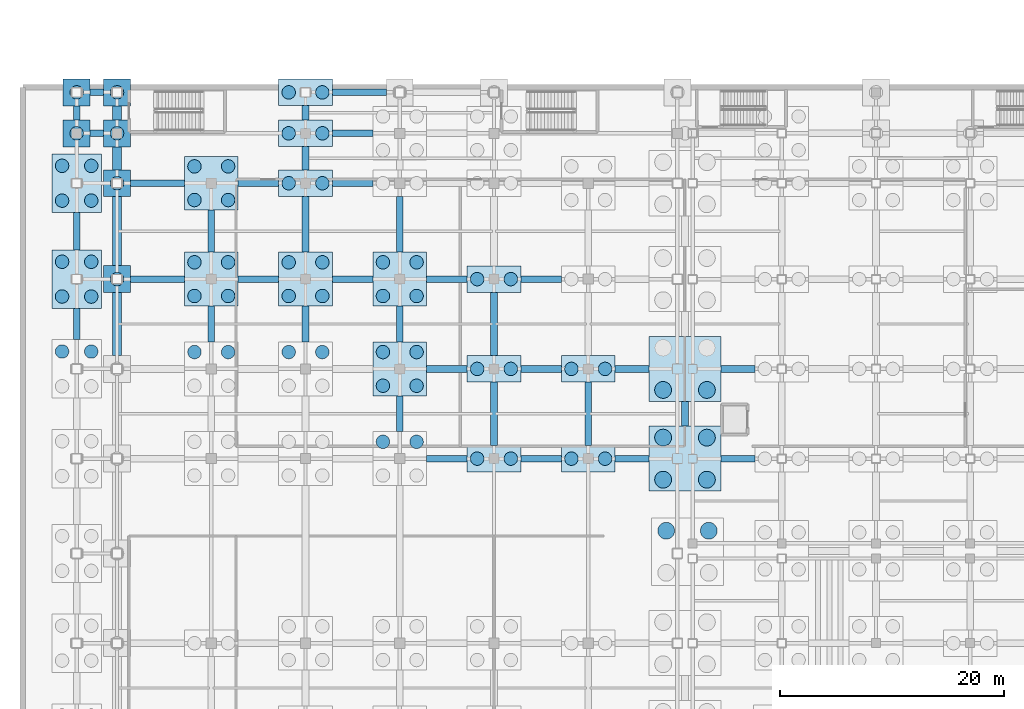
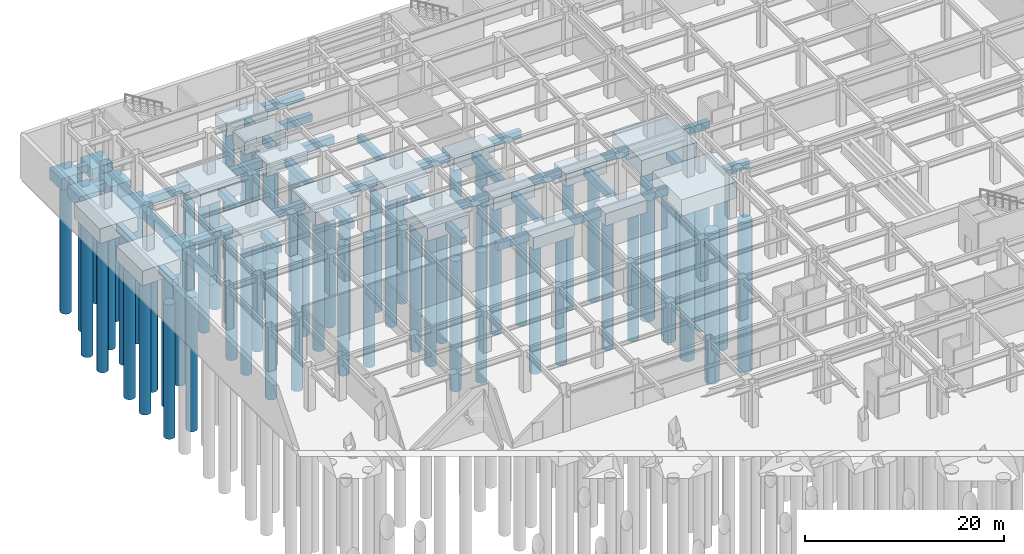
# One storey, part 7 of 55: 66 piles, 63 footings.
"""IFC4 building model written with IfcOpenShell, lengths in metres."""

from ifc_helpers import new_model, si_unit, direction, frame, origin, origin_2d, place, context, subcontext, project, spatial, rectangle, circle, extrude, material, layer, layer_set, material_profile, profile_set, type_object, element, save


model = new_model("IFC4")

# Units and contexts
model_context = context("Model", 3, precision=1e-05, world=origin(), true_north=direction((0.0, 1.0)))
body_context = subcontext(model_context, "Body", "Model", "MODEL_VIEW")
ifc_project = project(units=[si_unit("LENGTHUNIT", "METRE"), si_unit("AREAUNIT", "SQUARE_METRE"), si_unit("VOLUMEUNIT", "CUBIC_METRE"), si_unit("PLANEANGLEUNIT", "RADIAN"), si_unit("MASSUNIT", "GRAM", prefix="KILO")], contexts=[model_context])

# Site, building, storey
site_placement = place(None, origin())
site = spatial("IfcSite", under=ifc_project, at=site_placement, CompositionType="ELEMENT")
building_placement = place(site_placement, origin())
building = spatial("IfcBuilding", under=site, at=building_placement, Name="Kazehara Bluff Congress Hotel", CompositionType="ELEMENT")
storey_placement = place(building_placement, frame((0.0, 0.0, -5.39990234375)))
storey = spatial("IfcBuildingStorey", under=building, at=storey_placement, Name="B1", CompositionType="ELEMENT", Elevation=-5.39990234375)

# Footings
ifc_material_1 = material(Name="Concrete C36/45", Category="concrete")
ifc_material_profile_1 = material_profile(ifc_material_1, rectangle(XDim=0.60009765625, YDim=0.89990234375, at=origin_2d()))
ifc_profile_set_1 = profile_set([ifc_material_profile_1], Name="Concrete C36/45")
footing_type_1 = type_object("IfcFootingType", Name="TP-FB-01", PredefinedType="FOOTING_BEAM", material=ifc_profile_set_1)
for number, where, z_axis, x_axis, name in (
    (1, (36.0, 80.89990234375, -0.9501953125), (1.0, 0.0, 0.0), (0.0, 1.0, 0.0), "Foundation tie beam FB-01 164"),
    (2, (44.39990234375, 80.89990234375, -0.9501953125), (1.0, 0.0, 0.0), (0.0, 1.0, 0.0), "Foundation tie beam FB-01 165"),
):
    element("IfcFooting", number, at=place(storey_placement, frame(where, z_axis=z_axis, x_axis=x_axis)), inside=storey, type_object=footing_type_1, Name=name, PredefinedType="FOOTING_BEAM", context=body_context, shape_type="SweptSolid", body=[
        extrude(rectangle(XDim=0.60009765625, YDim=0.89990234375, at=origin_2d()), origin(), (0.0, 0.0, 1.0), 3.60009765625),
    ])
for number, where, z_axis, x_axis, name in (
    (3, (52.800048828125, 80.89990234375, -0.9501953125), (1.0, 0.0, 0.0), (0.0, 1.0, 0.0), "Foundation tie beam FB-01 166"),
    (4, (62.25, 80.89990234375, -0.9501953125), (1.0, 0.0, 0.0), (0.0, 1.0, 0.0), "Foundation tie beam FB-01 167"),
):
    element("IfcFooting", number, at=place(storey_placement, frame(where, z_axis=z_axis, x_axis=x_axis)), inside=storey, type_object=footing_type_1, Name=name, PredefinedType="FOOTING_BEAM", context=body_context, shape_type="SweptSolid", body=[
        extrude(rectangle(XDim=0.60009765625, YDim=0.89990234375, at=origin_2d()), origin(), (0.0, 0.0, 1.0), 3.0),
    ])
for number, where, z_axis, x_axis, name in (
    (5, (36.0, 88.89990234375, -0.9501953125), (1.0, 0.0, 0.0), (0.0, 1.0, 0.0), "Foundation tie beam FB-01 183"),
    (6, (44.39990234375, 88.89990234375, -0.9501953125), (1.0, 0.0, 0.0), (0.0, 1.0, 0.0), "Foundation tie beam FB-01 184"),
):
    element("IfcFooting", number, at=place(storey_placement, frame(where, z_axis=z_axis, x_axis=x_axis)), inside=storey, type_object=footing_type_1, Name=name, PredefinedType="FOOTING_BEAM", context=body_context, shape_type="SweptSolid", body=[
        extrude(rectangle(XDim=0.60009765625, YDim=0.89990234375, at=origin_2d()), origin(), (0.0, 0.0, 1.0), 3.60009765625),
    ])
for number, where, z_axis, x_axis, name in (
    (7, (52.800048828125, 88.89990234375, -0.9501953125), (1.0, 0.0, 0.0), (0.0, 1.0, 0.0), "Foundation tie beam FB-01 185"),
    (8, (62.25, 88.89990234375, -0.9501953125), (1.0, 0.0, 0.0), (0.0, 1.0, 0.0), "Foundation tie beam FB-01 186"),
):
    element("IfcFooting", number, at=place(storey_placement, frame(where, z_axis=z_axis, x_axis=x_axis)), inside=storey, type_object=footing_type_1, Name=name, PredefinedType="FOOTING_BEAM", context=body_context, shape_type="SweptSolid", body=[
        extrude(rectangle(XDim=0.60009765625, YDim=0.89990234375, at=origin_2d()), origin(), (0.0, 0.0, 1.0), 3.0),
    ])
footing_1_placement = place(storey_placement, frame((9.60009765625, 96.89990234375, -0.9501953125), z_axis=(1.0, 0.0, 0.0), x_axis=(0.0, 1.0, 0.0)))
element("IfcFooting", 9, at=footing_1_placement, inside=storey, type_object=footing_type_1, Name="Foundation tie beam FB-01 199", PredefinedType="FOOTING_BEAM", context=body_context, shape_type="SweptSolid", body=[
    extrude(rectangle(XDim=0.60009765625, YDim=0.89990234375, at=origin_2d()), origin(), (0.0, 0.0, 1.0), 4.7998046875),
])
footing_2_placement = place(storey_placement, frame((19.199951171875, 96.89990234375, -0.9501953125), z_axis=(1.0, 0.0, 0.0), x_axis=(0.0, 1.0, 0.0)))
element("IfcFooting", 10, at=footing_2_placement, inside=storey, type_object=footing_type_1, Name="Foundation tie beam FB-01 200", PredefinedType="FOOTING_BEAM", context=body_context, shape_type="SweptSolid", body=[
    extrude(rectangle(XDim=0.60009765625, YDim=0.89990234375, at=origin_2d()), origin(), (0.0, 0.0, 1.0), 3.60009765625),
])
footing_3_placement = place(storey_placement, frame((27.60009765625, 96.89990234375, -0.9501953125), z_axis=(1.0, 0.0, 0.0), x_axis=(0.0, 1.0, 0.0)))
element("IfcFooting", 11, at=footing_3_placement, inside=storey, type_object=footing_type_1, Name="Foundation tie beam FB-01 201", PredefinedType="FOOTING_BEAM", context=body_context, shape_type="SweptSolid", body=[
    extrude(rectangle(XDim=0.60009765625, YDim=0.89990234375, at=origin_2d()), origin(), (0.0, 0.0, 1.0), 3.599853515625),
])
for number, where, z_axis, x_axis, name in (
    (12, (36.0, 96.89990234375, -0.9501953125), (1.0, 0.0, 0.0), (0.0, 1.0, 0.0), "Foundation tie beam FB-01 202"),
    (13, (44.39990234375, 96.89990234375, -0.9501953125), (1.0, 0.0, 0.0), (0.0, 1.0, 0.0), "Foundation tie beam FB-01 203"),
):
    element("IfcFooting", number, at=place(storey_placement, frame(where, z_axis=z_axis, x_axis=x_axis)), inside=storey, type_object=footing_type_1, Name=name, PredefinedType="FOOTING_BEAM", context=body_context, shape_type="SweptSolid", body=[
        extrude(rectangle(XDim=0.60009765625, YDim=0.89990234375, at=origin_2d()), origin(), (0.0, 0.0, 1.0), 3.60009765625),
    ])
footing_4_placement = place(storey_placement, frame((9.60009765625, 105.449951171875, -0.9501953125), z_axis=(1.0, 0.0, 0.0), x_axis=(0.0, 1.0, 0.0)))
element("IfcFooting", 14, at=footing_4_placement, inside=storey, type_object=footing_type_1, Name="Foundation tie beam FB-01 218", PredefinedType="FOOTING_BEAM", context=body_context, shape_type="SweptSolid", body=[
    extrude(rectangle(XDim=0.60009765625, YDim=0.89990234375, at=origin_2d()), origin(), (0.0, 0.0, 1.0), 4.7998046875),
])
footing_5_placement = place(storey_placement, frame((19.199951171875, 105.449951171875, -0.9501953125), z_axis=(1.0, 0.0, 0.0), x_axis=(0.0, 1.0, 0.0)))
element("IfcFooting", 15, at=footing_5_placement, inside=storey, type_object=footing_type_1, Name="Foundation tie beam FB-01 219", PredefinedType="FOOTING_BEAM", context=body_context, shape_type="SweptSolid", body=[
    extrude(rectangle(XDim=0.60009765625, YDim=0.89990234375, at=origin_2d()), origin(), (0.0, 0.0, 1.0), 3.60009765625),
])
footing_6_placement = place(storey_placement, frame((27.60009765625, 105.449951171875, -0.9501953125), z_axis=(1.0, 0.0, 0.0), x_axis=(0.0, 1.0, 0.0)))
element("IfcFooting", 16, at=footing_6_placement, inside=storey, type_object=footing_type_1, Name="Foundation tie beam FB-01 220", PredefinedType="FOOTING_BEAM", context=body_context, shape_type="SweptSolid", body=[
    extrude(rectangle(XDim=0.60009765625, YDim=0.89990234375, at=origin_2d()), origin(), (0.0, 0.0, 1.0), 3.599853515625),
])
footing_7_placement = place(storey_placement, frame((6.0, 109.89990234375, -0.9501953125), z_axis=(1.0, 0.0, 0.0), x_axis=(0.0, 1.0, 0.0)))
element("IfcFooting", 17, at=footing_7_placement, inside=storey, type_object=footing_type_1, Name="Foundation tie beam FB-01 232", PredefinedType="FOOTING_BEAM", context=body_context, shape_type="SweptSolid", body=[
    extrude(rectangle(XDim=0.60009765625, YDim=0.89990234375, at=origin_2d()), origin(), (0.0, 0.0, 1.0), 1.199951171875),
])
footing_8_placement = place(storey_placement, frame((27.60009765625, 109.89990234375, -0.9501953125), z_axis=(1.0, 0.0, 0.0), x_axis=(0.0, 1.0, 0.0)))
element("IfcFooting", 18, at=footing_8_placement, inside=storey, type_object=footing_type_1, Name="Foundation tie beam FB-01 233", PredefinedType="FOOTING_BEAM", context=body_context, shape_type="SweptSolid", body=[
    extrude(rectangle(XDim=0.60009765625, YDim=0.89990234375, at=origin_2d()), origin(), (0.0, 0.0, 1.0), 3.599853515625),
])
footing_9_placement = place(storey_placement, frame((6.0, 113.550048828125, -0.9501953125), z_axis=(1.0, 0.0, 0.0), x_axis=(0.0, 1.0, 0.0)))
element("IfcFooting", 19, at=footing_9_placement, inside=storey, type_object=footing_type_1, Name="Foundation tie beam FB-01 243", PredefinedType="FOOTING_BEAM", context=body_context, shape_type="SweptSolid", body=[
    extrude(rectangle(XDim=0.60009765625, YDim=0.89990234375, at=origin_2d()), origin(), (0.0, 0.0, 1.0), 1.199951171875),
])
footing_10_placement = place(storey_placement, frame((27.60009765625, 113.550048828125, -0.9501953125), z_axis=(1.0, 0.0, 0.0), x_axis=(0.0, 1.0, 0.0)))
element("IfcFooting", 20, at=footing_10_placement, inside=storey, type_object=footing_type_1, Name="Foundation tie beam FB-01 244", PredefinedType="FOOTING_BEAM", context=body_context, shape_type="SweptSolid", body=[
    extrude(rectangle(XDim=0.60009765625, YDim=0.89990234375, at=origin_2d()), origin(), (0.0, 0.0, 1.0), 4.7998046875),
])
footing_11_placement = place(storey_placement, frame((4.800048828125, 91.5, -0.9501953125), z_axis=(0.0, 1.0, 0.0), x_axis=(-1.0, 0.0, 0.0)))
element("IfcFooting", 21, at=footing_11_placement, inside=storey, type_object=footing_type_1, Name="Foundation tie beam FB-01 256", PredefinedType="FOOTING_BEAM", context=body_context, shape_type="SweptSolid", body=[
    extrude(rectangle(XDim=0.60009765625, YDim=0.89990234375, at=origin_2d()), origin(), (0.0, 0.0, 1.0), 2.800048828125),
])
footing_12_placement = place(storey_placement, frame((4.800048828125, 99.5, -0.9501953125), z_axis=(0.0, 1.0, 0.0), x_axis=(-1.0, 0.0, 0.0)))
element("IfcFooting", 22, at=footing_12_placement, inside=storey, type_object=footing_type_1, Name="Foundation tie beam FB-01 257", PredefinedType="FOOTING_BEAM", context=body_context, shape_type="SweptSolid", body=[
    extrude(rectangle(XDim=0.60009765625, YDim=0.89990234375, at=origin_2d()), origin(), (0.0, 0.0, 1.0), 3.35009765625),
])
footing_13_placement = place(storey_placement, frame((4.800048828125, 111.10009765625, -0.9501953125), z_axis=(0.0, 1.0, 0.0), x_axis=(-1.0, 0.0, 0.0)))
element("IfcFooting", 23, at=footing_13_placement, inside=storey, type_object=footing_type_1, Name="Foundation tie beam FB-01 258", PredefinedType="FOOTING_BEAM", context=body_context, shape_type="SweptSolid", body=[
    extrude(rectangle(XDim=0.60009765625, YDim=0.89990234375, at=origin_2d()), origin(), (0.0, 0.0, 1.0), 1.25),
])
footing_14_placement = place(storey_placement, frame((16.800048828125, 91.300048828125, -0.9501953125), z_axis=(0.0, 1.0, 0.0), x_axis=(-1.0, 0.0, 0.0)))
element("IfcFooting", 24, at=footing_14_placement, inside=storey, type_object=footing_type_1, Name="Foundation tie beam FB-01 278", PredefinedType="FOOTING_BEAM", context=body_context, shape_type="SweptSolid", body=[
    extrude(rectangle(XDim=0.60009765625, YDim=0.89990234375, at=origin_2d()), origin(), (0.0, 0.0, 1.0), 3.199951171875),
])
footing_15_placement = place(storey_placement, frame((16.800048828125, 99.300048828125, -0.9501953125), z_axis=(0.0, 1.0, 0.0), x_axis=(-1.0, 0.0, 0.0)))
element("IfcFooting", 25, at=footing_15_placement, inside=storey, type_object=footing_type_1, Name="Foundation tie beam FB-01 279", PredefinedType="FOOTING_BEAM", context=body_context, shape_type="SweptSolid", body=[
    extrude(rectangle(XDim=0.60009765625, YDim=0.89990234375, at=origin_2d()), origin(), (0.0, 0.0, 1.0), 3.75),
])
footing_16_placement = place(storey_placement, frame((25.199951171875, 91.300048828125, -0.9501953125), z_axis=(0.0, 1.0, 0.0), x_axis=(-1.0, 0.0, 0.0)))
element("IfcFooting", 26, at=footing_16_placement, inside=storey, type_object=footing_type_1, Name="Foundation tie beam FB-01 290", PredefinedType="FOOTING_BEAM", context=body_context, shape_type="SweptSolid", body=[
    extrude(rectangle(XDim=0.60009765625, YDim=0.89990234375, at=origin_2d()), origin(), (0.0, 0.0, 1.0), 3.199951171875),
])
footing_17_placement = place(storey_placement, frame((25.199951171875, 99.300048828125, -0.9501953125), z_axis=(0.0, 1.0, 0.0), x_axis=(-1.0, 0.0, 0.0)))
element("IfcFooting", 27, at=footing_17_placement, inside=storey, type_object=footing_type_1, Name="Foundation tie beam FB-01 291", PredefinedType="FOOTING_BEAM", context=body_context, shape_type="SweptSolid", body=[
    extrude(rectangle(XDim=0.60009765625, YDim=0.89990234375, at=origin_2d()), origin(), (0.0, 0.0, 1.0), 4.974853515625),
])
footing_18_placement = place(storey_placement, frame((25.199951171875, 106.625, -0.9501953125), z_axis=(0.0, 1.0, 0.0), x_axis=(-1.0, 0.0, 0.0)))
element("IfcFooting", 28, at=footing_18_placement, inside=storey, type_object=footing_type_1, Name="Foundation tie beam FB-01 292", PredefinedType="FOOTING_BEAM", context=body_context, shape_type="SweptSolid", body=[
    extrude(rectangle(XDim=0.60009765625, YDim=0.89990234375, at=origin_2d()), origin(), (0.0, 0.0, 1.0), 2.10009765625),
])
footing_19_placement = place(storey_placement, frame((25.199951171875, 111.074951171875, -0.9501953125), z_axis=(0.0, 1.0, 0.0), x_axis=(-1.0, 0.0, 0.0)))
element("IfcFooting", 29, at=footing_19_placement, inside=storey, type_object=footing_type_1, Name="Foundation tie beam FB-01 293", PredefinedType="FOOTING_BEAM", context=body_context, shape_type="SweptSolid", body=[
    extrude(rectangle(XDim=0.60009765625, YDim=0.89990234375, at=origin_2d()), origin(), (0.0, 0.0, 1.0), 1.300048828125),
])
for number, where, z_axis, x_axis, name in (
    (30, (33.60009765625, 83.300048828125, -0.9501953125), (0.0, 1.0, 0.0), (-1.0, 0.0, 0.0), "Foundation tie beam FB-01 303"),
    (31, (33.60009765625, 91.300048828125, -0.9501953125), (0.0, 1.0, 0.0), (-1.0, 0.0, 0.0), "Foundation tie beam FB-01 304"),
):
    element("IfcFooting", number, at=place(storey_placement, frame(where, z_axis=z_axis, x_axis=x_axis)), inside=storey, type_object=footing_type_1, Name=name, PredefinedType="FOOTING_BEAM", context=body_context, shape_type="SweptSolid", body=[
        extrude(rectangle(XDim=0.60009765625, YDim=0.89990234375, at=origin_2d()), origin(), (0.0, 0.0, 1.0), 3.199951171875),
    ])
footing_20_placement = place(storey_placement, frame((33.60009765625, 99.300048828125, -0.9501953125), z_axis=(0.0, 1.0, 0.0), x_axis=(-1.0, 0.0, 0.0)))
element("IfcFooting", 32, at=footing_20_placement, inside=storey, type_object=footing_type_1, Name="Foundation tie beam FB-01 305", PredefinedType="FOOTING_BEAM", context=body_context, shape_type="SweptSolid", body=[
    extrude(rectangle(XDim=0.60009765625, YDim=0.89990234375, at=origin_2d()), origin(), (0.0, 0.0, 1.0), 4.974853515625),
])
for number, where, z_axis, x_axis, name in (
    (33, (42.0, 82.074951171875, -0.9501953125), (0.0, 1.0, 0.0), (-1.0, 0.0, 0.0), "Foundation tie beam FB-01 315"),
    (34, (42.0, 90.074951171875, -0.9501953125), (0.0, 1.0, 0.0), (-1.0, 0.0, 0.0), "Foundation tie beam FB-01 316"),
    (35, (50.39990234375, 82.074951171875, -0.9501953125), (0.0, 1.0, 0.0), (-1.0, 0.0, 0.0), "Foundation tie beam FB-01 326"),
):
    element("IfcFooting", number, at=place(storey_placement, frame(where, z_axis=z_axis, x_axis=x_axis)), inside=storey, type_object=footing_type_1, Name=name, PredefinedType="FOOTING_BEAM", context=body_context, shape_type="SweptSolid", body=[
        extrude(rectangle(XDim=0.60009765625, YDim=0.89990234375, at=origin_2d()), origin(), (0.0, 0.0, 1.0), 5.650146484375),
    ])
footing_21_placement = place(storey_placement, frame((59.02490234375, 83.800048828125, -0.9501953125), z_axis=(0.0, 1.0, 0.0), x_axis=(-1.0, 0.0, 0.0)))
element("IfcFooting", 36, at=footing_21_placement, inside=storey, type_object=footing_type_1, Name="Foundation tie beam FB-01 335", PredefinedType="FOOTING_BEAM", context=body_context, shape_type="SweptSolid", body=[
    extrude(rectangle(XDim=0.60009765625, YDim=0.89990234375, at=origin_2d()), origin(), (0.0, 0.0, 1.0), 2.199951171875),
])
ifc_material_2 = material(Name="Concrete C36/45", Category="concrete")
ifc_material_profile_2 = material_profile(ifc_material_2, rectangle(XDim=0.800048828125, YDim=1.10009765625, at=origin_2d()))
ifc_profile_set_2 = profile_set([ifc_material_profile_2], Name="Concrete C36/45")
footing_type_2 = type_object("IfcFootingType", Name="TP-FB-03", PredefinedType="FOOTING_BEAM", material=ifc_profile_set_2)
footing_22_placement = place(storey_placement, frame((8.39990234375, 90.10009765625, -1.050048828125), z_axis=(0.0, 1.0, 0.0), x_axis=(-1.0, 0.0, 0.0)))
element("IfcFooting", 37, at=footing_22_placement, inside=storey, type_object=footing_type_2, Name="Foundation tie beam FB-03 268", PredefinedType="FOOTING_BEAM", context=body_context, shape_type="SweptSolid", body=[
    extrude(rectangle(XDim=0.800048828125, YDim=1.10009765625, at=origin_2d()), origin(), (0.0, 0.0, 1.0), 5.599853515625),
])
footing_23_placement = place(storey_placement, frame((8.39990234375, 98.10009765625, -1.050048828125), z_axis=(0.0, 1.0, 0.0), x_axis=(-1.0, 0.0, 0.0)))
element("IfcFooting", 38, at=footing_23_placement, inside=storey, type_object=footing_type_2, Name="Foundation tie beam FB-03 269", PredefinedType="FOOTING_BEAM", context=body_context, shape_type="SweptSolid", body=[
    extrude(rectangle(XDim=0.800048828125, YDim=1.10009765625, at=origin_2d()), origin(), (0.0, 0.0, 1.0), 6.14990234375),
])
footing_24_placement = place(storey_placement, frame((8.39990234375, 106.64990234375, -1.050048828125), z_axis=(0.0, 1.0, 0.0), x_axis=(-1.0, 0.0, 0.0)))
element("IfcFooting", 39, at=footing_24_placement, inside=storey, type_object=footing_type_2, Name="Foundation tie beam FB-03 270", PredefinedType="FOOTING_BEAM", context=body_context, shape_type="SweptSolid", body=[
    extrude(rectangle(XDim=0.800048828125, YDim=1.10009765625, at=origin_2d()), origin(), (0.0, 0.0, 1.0), 2.050048828125),
])
footing_25_placement = place(storey_placement, frame((8.39990234375, 111.10009765625, -1.050048828125), z_axis=(0.0, 1.0, 0.0), x_axis=(-1.0, 0.0, 0.0)))
element("IfcFooting", 40, at=footing_25_placement, inside=storey, type_object=footing_type_2, Name="Foundation tie beam FB-03 271", PredefinedType="FOOTING_BEAM", context=body_context, shape_type="SweptSolid", body=[
    extrude(rectangle(XDim=0.800048828125, YDim=1.10009765625, at=origin_2d()), origin(), (0.0, 0.0, 1.0), 1.25),
])
ifc_material_3 = material(Name="Concrete C36/45", Category="concrete")
ifc_layer_1 = layer(ifc_material_3, 1.39990234375)
ifc_layer_set_1 = layer_set([ifc_layer_1], Name="Concrete C36/45")
footing_type_3 = type_object("IfcFootingType", Name="TP-PC-01", PredefinedType="PILE_CAP", material=ifc_layer_set_1)
for number, where, z_axis, x_axis, name in (
    (41, (4.800048828125, 109.89990234375, -1.900146484375), (0.0, 0.0, 1.0), (1.0, 0.0, 0.0), "Pile cap PC-01 14"),
    (42, (4.800048828125, 113.550048828125, -1.900146484375), (0.0, 0.0, 1.0), (1.0, 0.0, 0.0), "Pile cap PC-01 15"),
    (43, (8.39990234375, 96.89990234375, -1.900146484375), (0.0, 0.0, 1.0), (1.0, 0.0, 0.0), "Pile cap PC-01 27"),
    (44, (8.39990234375, 105.449951171875, -1.900146484375), (0.0, 0.0, 1.0), (1.0, 0.0, 0.0), "Pile cap PC-01 28"),
    (45, (8.39990234375, 109.89990234375, -1.900146484375), (0.0, 0.0, 1.0), (1.0, 0.0, 0.0), "Pile cap PC-01 29"),
    (46, (8.39990234375, 113.550048828125, -1.900146484375), (0.0, 0.0, 1.0), (1.0, 0.0, 0.0), "Pile cap PC-01 30"),
):
    element("IfcFooting", number, at=place(storey_placement, frame(where, z_axis=z_axis, x_axis=x_axis)), inside=storey, type_object=footing_type_3, Name=name, PredefinedType="PILE_CAP", context=body_context, shape_type="SweptSolid", body=[
        extrude(rectangle(XDim=2.39990234375, YDim=2.39990234375, at=origin_2d()), origin(), (0.0, 0.0, 1.0), 1.39990234375),
    ])
ifc_material_4 = material(Name="Concrete C36/45", Category="concrete")
ifc_layer_2 = layer(ifc_material_4, 1.5)
ifc_layer_set_2 = layer_set([ifc_layer_2], Name="Concrete C36/45")
footing_type_4 = type_object("IfcFootingType", Name="TP-PC-02", PredefinedType="PILE_CAP", material=ifc_layer_set_2)
for number, where, z_axis, x_axis, name in (
    (47, (25.199951171875, 105.449951171875, -2.0), (0.0, 0.0, 1.0), (1.0, 0.0, 0.0), "Pile cap PC-02 54"),
    (48, (25.199951171875, 109.89990234375, -2.0), (0.0, 0.0, 1.0), (1.0, 0.0, 0.0), "Pile cap PC-02 55"),
    (49, (25.199951171875, 113.550048828125, -2.0), (0.0, 0.0, 1.0), (1.0, 0.0, 0.0), "Pile cap PC-02 56"),
    (50, (42.0, 80.89990234375, -2.0), (0.0, 0.0, 1.0), (1.0, 0.0, 0.0), "Pile cap PC-02 81"),
    (51, (42.0, 88.89990234375, -2.0), (0.0, 0.0, 1.0), (1.0, 0.0, 0.0), "Pile cap PC-02 82"),
    (52, (42.0, 96.89990234375, -2.0), (0.0, 0.0, 1.0), (1.0, 0.0, 0.0), "Pile cap PC-02 83"),
    (53, (50.39990234375, 80.89990234375, -2.0), (0.0, 0.0, 1.0), (1.0, 0.0, 0.0), "Pile cap PC-02 95"),
    (54, (50.39990234375, 88.89990234375, -2.0), (0.0, 0.0, 1.0), (1.0, 0.0, 0.0), "Pile cap PC-02 96"),
):
    element("IfcFooting", number, at=place(storey_placement, frame(where, z_axis=z_axis, x_axis=x_axis)), inside=storey, type_object=footing_type_4, Name=name, PredefinedType="PILE_CAP", context=body_context, shape_type="SweptSolid", body=[
        extrude(rectangle(XDim=4.800048828125, YDim=2.35009765625, at=origin_2d()), origin(), (0.0, 0.0, 1.0), 1.5),
    ])
ifc_material_5 = material(Name="Concrete C36/45", Category="concrete")
ifc_layer_3 = layer(ifc_material_5, 1.60009765625)
ifc_layer_set_3 = layer_set([ifc_layer_3], Name="Concrete C36/45")
footing_type_5 = type_object("IfcFootingType", Name="TP-PC-04", PredefinedType="PILE_CAP", material=ifc_layer_set_3)
for number, where, z_axis, x_axis, name in (
    (55, (16.800048828125, 96.89990234375, -2.10009765625), (0.0, 0.0, 1.0), (1.0, 0.0, 0.0), "Pile cap PC-04 40"),
    (56, (16.800048828125, 105.449951171875, -2.10009765625), (0.0, 0.0, 1.0), (1.0, 0.0, 0.0), "Pile cap PC-04 41"),
    (57, (25.199951171875, 96.89990234375, -2.10009765625), (0.0, 0.0, 1.0), (1.0, 0.0, 0.0), "Pile cap PC-04 53"),
    (58, (33.60009765625, 88.89990234375, -2.10009765625), (0.0, 0.0, 1.0), (1.0, 0.0, 0.0), "Pile cap PC-04 67"),
    (59, (33.60009765625, 96.89990234375, -2.10009765625), (0.0, 0.0, 1.0), (1.0, 0.0, 0.0), "Pile cap PC-04 68"),
):
    element("IfcFooting", number, at=place(storey_placement, frame(where, z_axis=z_axis, x_axis=x_axis)), inside=storey, type_object=footing_type_5, Name=name, PredefinedType="PILE_CAP", context=body_context, shape_type="SweptSolid", body=[
        extrude(rectangle(XDim=4.800048828125, YDim=4.800048828125, at=origin_2d()), origin(), (0.0, 0.0, 1.0), 1.60009765625),
    ])
ifc_material_6 = material(Name="Concrete C36/45", Category="concrete")
ifc_layer_4 = layer(ifc_material_6, 1.800048828125)
ifc_layer_set_4 = layer_set([ifc_layer_4], Name="Concrete C36/45")
footing_type_6 = type_object("IfcFootingType", Name="TP-PC-06", PredefinedType="PILE_CAP", material=ifc_layer_set_4)
for number, where, z_axis, x_axis, name in (
    (60, (4.800048828125, 96.89990234375, -2.30029296875), (0.0, 0.0, 1.0), (1.0, 0.0, 0.0), "Pile cap PC-06 12"),
    (61, (4.800048828125, 105.449951171875, -2.30029296875), (0.0, 0.0, 1.0), (1.0, 0.0, 0.0), "Pile cap PC-06 13"),
):
    element("IfcFooting", number, at=place(storey_placement, frame(where, z_axis=z_axis, x_axis=x_axis)), inside=storey, type_object=footing_type_6, Name=name, PredefinedType="PILE_CAP", context=body_context, shape_type="SweptSolid", body=[
        extrude(rectangle(XDim=4.39990234375, YDim=5.199951171875, at=origin_2d()), origin(), (0.0, 0.0, 1.0), 1.800048828125),
    ])
ifc_material_7 = material(Name="Concrete C36/45", Category="concrete")
ifc_layer_5 = layer(ifc_material_7, 2.0)
ifc_layer_set_5 = layer_set([ifc_layer_5], Name="Concrete C36/45")
footing_type_7 = type_object("IfcFootingType", Name="TP-PC-11", PredefinedType="PILE_CAP", material=ifc_layer_set_5)
for number, where, z_axis, x_axis, name in (
    (62, (59.02490234375, 80.89990234375, -2.5), (0.0, 0.0, 1.0), (1.0, 0.0, 0.0), "Pile cap PC-11 109"),
    (63, (59.02490234375, 88.89990234375, -2.5), (0.0, 0.0, 1.0), (1.0, 0.0, 0.0), "Pile cap PC-11 110"),
):
    element("IfcFooting", number, at=place(storey_placement, frame(where, z_axis=z_axis, x_axis=x_axis)), inside=storey, type_object=footing_type_7, Name=name, PredefinedType="PILE_CAP", context=body_context, shape_type="SweptSolid", body=[
        extrude(rectangle(XDim=6.449951171875, YDim=5.800048828125, at=origin_2d()), origin(), (0.0, 0.0, 1.0), 2.0),
    ])

# Piles
ifc_material_8 = material(Name="Concrete C36/45", Category="concrete")
ifc_material_profile_3 = material_profile(ifc_material_8, circle(Radius=0.60009765625, at=origin_2d()))
ifc_profile_set_3 = profile_set([ifc_material_profile_3], Name="Concrete C36/45")
pile_type_1 = type_object("IfcPileType", Name="TP-PILE-1200", PredefinedType="BORED", material=ifc_profile_set_3)
for number, where, z_axis, x_axis, name in (
    (64, (3.5, 90.449951171875, -2.2001953125), (0.0, 0.0, -1.0), (1.0, 0.0, 0.0), "Bored pile FND-PC-011-P3"),
    (65, (6.10009765625, 90.449951171875, -2.2001953125), (0.0, 0.0, -1.0), (1.0, 0.0, 0.0), "Bored pile FND-PC-011-P4"),
    (66, (3.5, 95.35009765625, -2.2001953125), (0.0, 0.0, -1.0), (1.0, 0.0, 0.0), "Bored pile FND-PC-012-P1"),
    (67, (6.10009765625, 95.35009765625, -2.2001953125), (0.0, 0.0, -1.0), (1.0, 0.0, 0.0), "Bored pile FND-PC-012-P2"),
    (68, (3.5, 98.449951171875, -2.2001953125), (0.0, 0.0, -1.0), (1.0, 0.0, 0.0), "Bored pile FND-PC-012-P3"),
    (69, (6.10009765625, 98.449951171875, -2.2001953125), (0.0, 0.0, -1.0), (1.0, 0.0, 0.0), "Bored pile FND-PC-012-P4"),
    (70, (3.5, 103.89990234375, -2.2001953125), (0.0, 0.0, -1.0), (1.0, 0.0, 0.0), "Bored pile FND-PC-013-P1"),
    (71, (6.10009765625, 103.89990234375, -2.2001953125), (0.0, 0.0, -1.0), (1.0, 0.0, 0.0), "Bored pile FND-PC-013-P2"),
    (72, (3.5, 107.0, -2.2001953125), (0.0, 0.0, -1.0), (1.0, 0.0, 0.0), "Bored pile FND-PC-013-P3"),
    (73, (6.10009765625, 107.0, -2.2001953125), (0.0, 0.0, -1.0), (1.0, 0.0, 0.0), "Bored pile FND-PC-013-P4"),
):
    element("IfcPile", number, at=place(storey_placement, frame(where, z_axis=z_axis, x_axis=x_axis)), inside=storey, type_object=pile_type_1, Name=name, PredefinedType="BORED", context=body_context, shape_type="SweptSolid", body=[
        extrude(circle(Radius=0.60009765625, at=origin_2d()), origin(), (0.0, 0.0, 1.0), 16.5),
    ])
for number, where, z_axis, x_axis, name in (
    (74, (4.800048828125, 109.89990234375, -1.800048828125), (0.0, 0.0, -1.0), (1.0, 0.0, 0.0), "Bored pile FND-PC-014-P1"),
    (75, (4.800048828125, 113.550048828125, -1.800048828125), (0.0, 0.0, -1.0), (1.0, 0.0, 0.0), "Bored pile FND-PC-015-P1"),
    (76, (8.39990234375, 96.89990234375, -1.800048828125), (0.0, 0.0, -1.0), (1.0, 0.0, 0.0), "Bored pile FND-PC-027-P1"),
    (77, (8.39990234375, 105.449951171875, -1.800048828125), (0.0, 0.0, -1.0), (1.0, 0.0, 0.0), "Bored pile FND-PC-028-P1"),
    (78, (8.39990234375, 109.89990234375, -1.800048828125), (0.0, 0.0, -1.0), (1.0, 0.0, 0.0), "Bored pile FND-PC-029-P1"),
    (79, (8.39990234375, 113.550048828125, -1.800048828125), (0.0, 0.0, -1.0), (1.0, 0.0, 0.0), "Bored pile FND-PC-030-P1"),
    (80, (15.300048828125, 90.39990234375, -2.0), (0.0, 0.0, -1.0), (1.0, 0.0, 0.0), "Bored pile FND-PC-039-P3"),
    (81, (18.300048828125, 90.39990234375, -2.0), (0.0, 0.0, -1.0), (1.0, 0.0, 0.0), "Bored pile FND-PC-039-P4"),
    (82, (15.300048828125, 95.39990234375, -2.0), (0.0, 0.0, -1.0), (1.0, 0.0, 0.0), "Bored pile FND-PC-040-P1"),
    (83, (18.300048828125, 95.39990234375, -2.0), (0.0, 0.0, -1.0), (1.0, 0.0, 0.0), "Bored pile FND-PC-040-P2"),
    (84, (15.300048828125, 98.39990234375, -2.0), (0.0, 0.0, -1.0), (1.0, 0.0, 0.0), "Bored pile FND-PC-040-P3"),
    (85, (18.300048828125, 98.39990234375, -2.0), (0.0, 0.0, -1.0), (1.0, 0.0, 0.0), "Bored pile FND-PC-040-P4"),
    (86, (15.300048828125, 103.949951171875, -2.0), (0.0, 0.0, -1.0), (1.0, 0.0, 0.0), "Bored pile FND-PC-041-P1"),
    (87, (18.300048828125, 103.949951171875, -2.0), (0.0, 0.0, -1.0), (1.0, 0.0, 0.0), "Bored pile FND-PC-041-P2"),
    (88, (15.300048828125, 106.949951171875, -2.0), (0.0, 0.0, -1.0), (1.0, 0.0, 0.0), "Bored pile FND-PC-041-P3"),
    (89, (18.300048828125, 106.949951171875, -2.0), (0.0, 0.0, -1.0), (1.0, 0.0, 0.0), "Bored pile FND-PC-041-P4"),
    (90, (23.699951171875, 90.39990234375, -2.0), (0.0, 0.0, -1.0), (1.0, 0.0, 0.0), "Bored pile FND-PC-052-P3"),
    (91, (26.699951171875, 90.39990234375, -2.0), (0.0, 0.0, -1.0), (1.0, 0.0, 0.0), "Bored pile FND-PC-052-P4"),
    (92, (23.699951171875, 95.39990234375, -2.0), (0.0, 0.0, -1.0), (1.0, 0.0, 0.0), "Bored pile FND-PC-053-P1"),
    (93, (26.699951171875, 95.39990234375, -2.0), (0.0, 0.0, -1.0), (1.0, 0.0, 0.0), "Bored pile FND-PC-053-P2"),
    (94, (23.699951171875, 98.39990234375, -2.0), (0.0, 0.0, -1.0), (1.0, 0.0, 0.0), "Bored pile FND-PC-053-P3"),
    (95, (26.699951171875, 98.39990234375, -2.0), (0.0, 0.0, -1.0), (1.0, 0.0, 0.0), "Bored pile FND-PC-053-P4"),
    (96, (23.699951171875, 105.449951171875, -1.900146484375), (0.0, 0.0, -1.0), (1.0, 0.0, 0.0), "Bored pile FND-PC-054-P1"),
    (97, (26.699951171875, 105.449951171875, -1.900146484375), (0.0, 0.0, -1.0), (1.0, 0.0, 0.0), "Bored pile FND-PC-054-P2"),
    (98, (23.699951171875, 109.89990234375, -1.900146484375), (0.0, 0.0, -1.0), (1.0, 0.0, 0.0), "Bored pile FND-PC-055-P1"),
    (99, (26.699951171875, 109.89990234375, -1.900146484375), (0.0, 0.0, -1.0), (1.0, 0.0, 0.0), "Bored pile FND-PC-055-P2"),
    (100, (23.699951171875, 113.550048828125, -1.900146484375), (0.0, 0.0, -1.0), (1.0, 0.0, 0.0), "Bored pile FND-PC-056-P1"),
    (101, (26.699951171875, 113.550048828125, -1.900146484375), (0.0, 0.0, -1.0), (1.0, 0.0, 0.0), "Bored pile FND-PC-056-P2"),
    (102, (32.10009765625, 82.39990234375, -2.0), (0.0, 0.0, -1.0), (1.0, 0.0, 0.0), "Bored pile FND-PC-066-P3"),
    (103, (35.10009765625, 82.39990234375, -2.0), (0.0, 0.0, -1.0), (1.0, 0.0, 0.0), "Bored pile FND-PC-066-P4"),
    (104, (32.10009765625, 87.39990234375, -2.0), (0.0, 0.0, -1.0), (1.0, 0.0, 0.0), "Bored pile FND-PC-067-P1"),
    (105, (35.10009765625, 87.39990234375, -2.0), (0.0, 0.0, -1.0), (1.0, 0.0, 0.0), "Bored pile FND-PC-067-P2"),
    (106, (32.10009765625, 90.39990234375, -2.0), (0.0, 0.0, -1.0), (1.0, 0.0, 0.0), "Bored pile FND-PC-067-P3"),
    (107, (35.10009765625, 90.39990234375, -2.0), (0.0, 0.0, -1.0), (1.0, 0.0, 0.0), "Bored pile FND-PC-067-P4"),
    (108, (32.10009765625, 95.39990234375, -2.0), (0.0, 0.0, -1.0), (1.0, 0.0, 0.0), "Bored pile FND-PC-068-P1"),
    (109, (35.10009765625, 95.39990234375, -2.0), (0.0, 0.0, -1.0), (1.0, 0.0, 0.0), "Bored pile FND-PC-068-P2"),
    (110, (32.10009765625, 98.39990234375, -2.0), (0.0, 0.0, -1.0), (1.0, 0.0, 0.0), "Bored pile FND-PC-068-P3"),
    (111, (35.10009765625, 98.39990234375, -2.0), (0.0, 0.0, -1.0), (1.0, 0.0, 0.0), "Bored pile FND-PC-068-P4"),
    (112, (40.5, 80.89990234375, -1.900146484375), (0.0, 0.0, -1.0), (1.0, 0.0, 0.0), "Bored pile FND-PC-081-P1"),
    (113, (43.5, 80.89990234375, -1.900146484375), (0.0, 0.0, -1.0), (1.0, 0.0, 0.0), "Bored pile FND-PC-081-P2"),
    (114, (40.5, 88.89990234375, -1.900146484375), (0.0, 0.0, -1.0), (1.0, 0.0, 0.0), "Bored pile FND-PC-082-P1"),
    (115, (43.5, 88.89990234375, -1.900146484375), (0.0, 0.0, -1.0), (1.0, 0.0, 0.0), "Bored pile FND-PC-082-P2"),
    (116, (40.5, 96.89990234375, -1.900146484375), (0.0, 0.0, -1.0), (1.0, 0.0, 0.0), "Bored pile FND-PC-083-P1"),
    (117, (43.5, 96.89990234375, -1.900146484375), (0.0, 0.0, -1.0), (1.0, 0.0, 0.0), "Bored pile FND-PC-083-P2"),
    (118, (48.89990234375, 80.89990234375, -1.900146484375), (0.0, 0.0, -1.0), (1.0, 0.0, 0.0), "Bored pile FND-PC-095-P1"),
    (119, (51.89990234375, 80.89990234375, -1.900146484375), (0.0, 0.0, -1.0), (1.0, 0.0, 0.0), "Bored pile FND-PC-095-P2"),
    (120, (48.89990234375, 88.89990234375, -1.900146484375), (0.0, 0.0, -1.0), (1.0, 0.0, 0.0), "Bored pile FND-PC-096-P1"),
    (121, (51.89990234375, 88.89990234375, -1.900146484375), (0.0, 0.0, -1.0), (1.0, 0.0, 0.0), "Bored pile FND-PC-096-P2"),
):
    element("IfcPile", number, at=place(storey_placement, frame(where, z_axis=z_axis, x_axis=x_axis)), inside=storey, type_object=pile_type_1, Name=name, PredefinedType="BORED", context=body_context, shape_type="SweptSolid", body=[
        extrude(circle(Radius=0.60009765625, at=origin_2d()), origin(), (0.0, 0.0, 1.0), 16.0),
    ])
ifc_material_9 = material(Name="Concrete C36/45", Category="concrete")
ifc_material_profile_4 = material_profile(ifc_material_9, circle(Radius=0.75, at=origin_2d()))
ifc_profile_set_4 = profile_set([ifc_material_profile_4], Name="Concrete C36/45")
pile_type_2 = type_object("IfcPileType", Name="TP-PILE-1500", PredefinedType="BORED", material=ifc_profile_set_4)
for number, where, z_axis, x_axis, name in (
    (122, (57.35009765625, 74.47509765625, -2.5), (0.0, 0.0, -1.0), (1.0, 0.0, 0.0), "Bored pile FND-PC-108-P3"),
    (123, (61.14990234375, 74.47509765625, -2.5), (0.0, 0.0, -1.0), (1.0, 0.0, 0.0), "Bored pile FND-PC-108-P4"),
    (124, (57.074951171875, 79.02490234375, -2.400146484375), (0.0, 0.0, -1.0), (1.0, 0.0, 0.0), "Bored pile FND-PC-109-P1"),
    (125, (60.97509765625, 79.02490234375, -2.400146484375), (0.0, 0.0, -1.0), (1.0, 0.0, 0.0), "Bored pile FND-PC-109-P2"),
    (126, (57.074951171875, 82.77490234375, -2.400146484375), (0.0, 0.0, -1.0), (1.0, 0.0, 0.0), "Bored pile FND-PC-109-P3"),
    (127, (60.97509765625, 82.77490234375, -2.400146484375), (0.0, 0.0, -1.0), (1.0, 0.0, 0.0), "Bored pile FND-PC-109-P4"),
    (128, (57.074951171875, 87.02490234375, -2.400146484375), (0.0, 0.0, -1.0), (1.0, 0.0, 0.0), "Bored pile FND-PC-110-P1"),
    (129, (60.97509765625, 87.02490234375, -2.400146484375), (0.0, 0.0, -1.0), (1.0, 0.0, 0.0), "Bored pile FND-PC-110-P2"),
):
    element("IfcPile", number, at=place(storey_placement, frame(where, z_axis=z_axis, x_axis=x_axis)), inside=storey, type_object=pile_type_2, Name=name, PredefinedType="BORED", context=body_context, shape_type="SweptSolid", body=[
        extrude(circle(Radius=0.75, at=origin_2d()), origin(), (0.0, 0.0, 1.0), 18.5),
    ])

save(model, "model.ifc")
